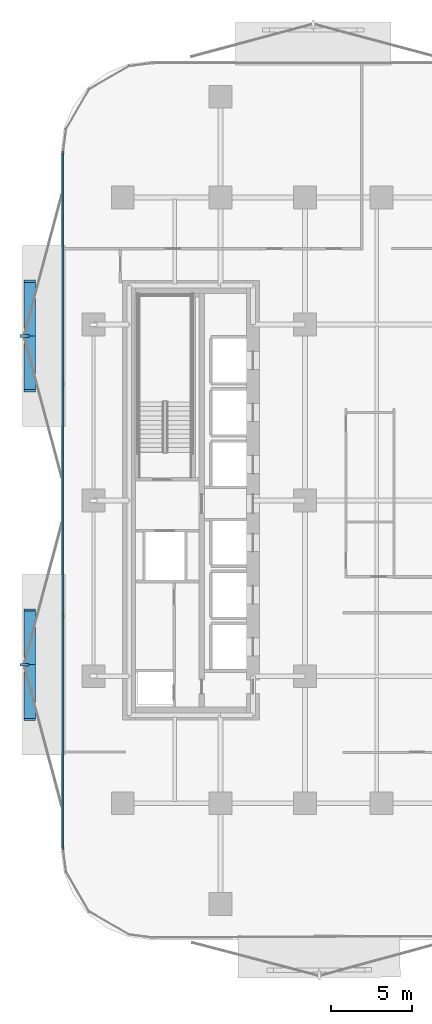
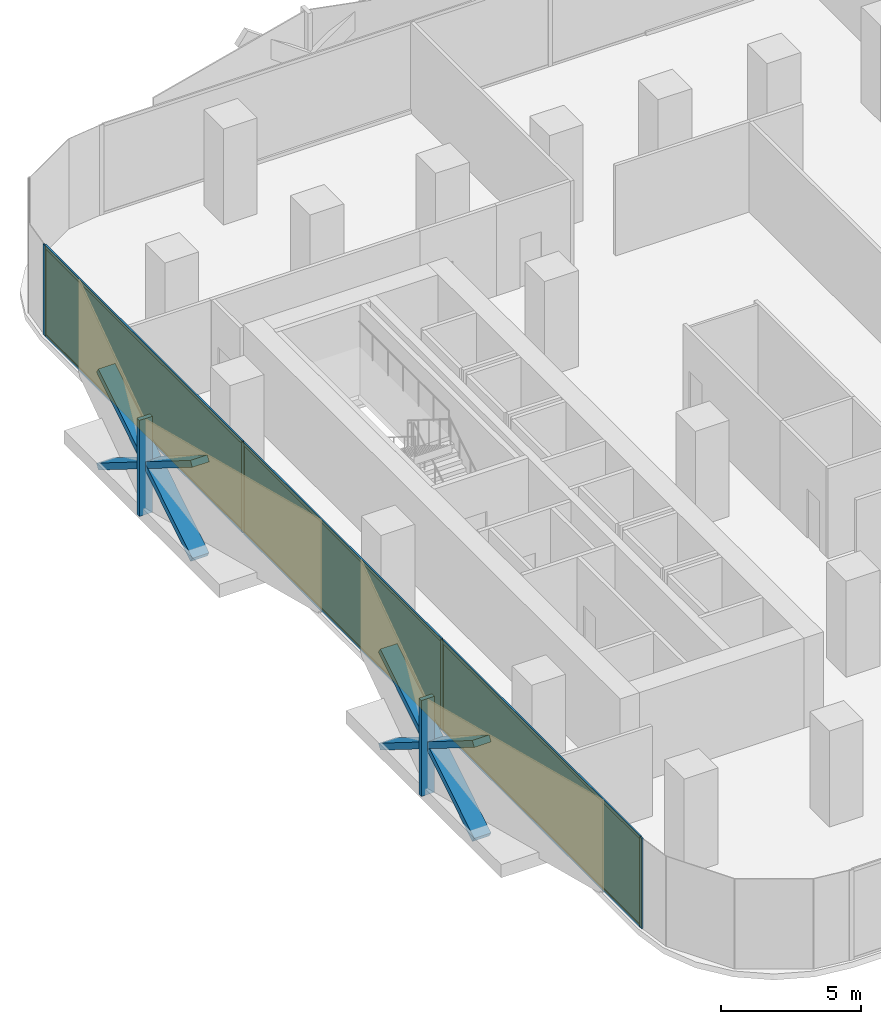
# One storey, part 8 of 15: 16 members, 3 plates, 1 curtain wall.
"""IFC4 building model written with IfcOpenShell, lengths in metres."""

import ifcopenshell
import ifcopenshell.guid

model = None  # the IFC model being written
_history = None  # IfcOwnerHistory: only IFC2X3 demands one
_inside = {}  # id of a spatial element -> (the spatial element, [elements in it])
_under = {}  # id of a project, library or spatial element -> (it, [spatial elements below it])
_declared = {}  # id of a project -> (the project, [libraries it declares])
_typed = {}  # id of a type object -> (the type object, [elements of that type])
_made_of = {}  # id of a material, layer set ... -> (it, [elements and type objects made of it])


def new_model(schema):
    """Start an empty IFC model of exactly this schema.

    Asked for "IFC4X3", IfcOpenShell would pick the latest addendum, in which some entities
    have other attributes; the version numbers below select the first issue.
    IFC2X3 requires an IfcOwnerHistory on every rooted entity: one is made here for all.
    """
    global model, _history
    if schema == "IFC4X3":
        model = ifcopenshell.file(schema_version=(4, 3, 0, 0))
    else:
        model = ifcopenshell.file(schema=schema)
    _inside.clear()
    _under.clear()
    _declared.clear()
    _typed.clear()
    _made_of.clear()
    _history = None
    if model.schema == "IFC2X3":
        org = make("IfcOrganization", Name="unknown")
        user = make(
            "IfcPersonAndOrganization",
            ThePerson=make("IfcPerson", FamilyName="unknown"),
            TheOrganization=org,
        )
        app = make(
            "IfcApplication",
            ApplicationDeveloper=org,
            Version="unknown",
            ApplicationFullName="unknown",
            ApplicationIdentifier="unknown",
        )
        _history = make(
            "IfcOwnerHistory",
            OwningUser=user,
            OwningApplication=app,
            ChangeAction="ADDED",
            CreationDate=0,
        )
    return model


def make(cls, **values):
    """One entity of the class cls with the attributes given. An attribute that is None is left unset."""
    return model.create_entity(
        cls, **{name: value for name, value in values.items() if value is not None}
    )


def rooted(cls, **values):
    """An entity with a GlobalId (a new one), such as an element, a storey or a relation."""
    return make(cls, GlobalId=ifcopenshell.guid.new(), OwnerHistory=_history, **values)


def si_unit(unit_type, name, prefix=None):
    """IfcSIUnit, for example si_unit("LENGTHUNIT", "METRE", prefix="MILLI")."""
    return make("IfcSIUnit", UnitType=unit_type, Prefix=prefix, Name=name)


def assignment(units):
    """IfcUnitAssignment: the units of a project."""
    return None if units is None else make("IfcUnitAssignment", Units=units)


def point(xyz):
    """IfcCartesianPoint."""
    return None if xyz is None else make("IfcCartesianPoint", Coordinates=xyz)


def direction(xyz):
    """IfcDirection."""
    return None if xyz is None else make("IfcDirection", DirectionRatios=xyz)


def frame(location, z_axis=None, x_axis=None):
    """IfcAxis2Placement3D, a coordinate frame: its origin and axes. An axis left out is left unset."""
    return make(
        "IfcAxis2Placement3D",
        Location=point(location),
        Axis=direction(z_axis),
        RefDirection=direction(x_axis),
    )


def frame_2d(location, x_axis=None):
    """IfcAxis2Placement2D, a coordinate frame in the plane: its origin and x axis."""
    return make(
        "IfcAxis2Placement2D", Location=point(location), RefDirection=direction(x_axis)
    )


def origin():
    """The frame at (0, 0, 0) with its axes left unset."""
    return frame((0.0, 0.0, 0.0))


def origin_2d():
    """The frame at (0, 0) in the plane with its x axis left unset."""
    return frame_2d((0.0, 0.0))


def place(relative_to, where):
    """IfcLocalPlacement: puts the frame where relative to a parent placement (None: the world)."""
    return make(
        "IfcLocalPlacement", PlacementRelTo=relative_to, RelativePlacement=where
    )


def context(
    kind, dimensions, precision=None, world=None, true_north=None, identifier=None
):
    """IfcGeometricRepresentationContext, for example the 3D "Model" context."""
    return make(
        "IfcGeometricRepresentationContext",
        ContextIdentifier=identifier,
        ContextType=kind,
        CoordinateSpaceDimension=dimensions,
        Precision=precision,
        WorldCoordinateSystem=world,
        TrueNorth=true_north,
    )


def subcontext(parent, identifier, kind, view, scale=None):
    """IfcGeometricRepresentationSubContext, for example "Body" below "Model"."""
    return make(
        "IfcGeometricRepresentationSubContext",
        ContextIdentifier=identifier,
        ContextType=kind,
        ParentContext=parent,
        TargetScale=scale,
        TargetView=view,
    )


def project(units=None, contexts=None):
    """IfcProject with its units and contexts."""
    return rooted(
        "IfcProject",
        Name="project",
        RepresentationContexts=contexts,
        UnitsInContext=assignment(units),
    )


def spatial(cls, under=None, at=None, **own):
    """A site, building, storey or space (cls), placed at a placement, below another one or the project."""
    s = rooted(cls, ObjectPlacement=at, **own)
    if under is not None:
        _under.setdefault(under.id(), (under, []))[1].append(s)
    return s


def profile(cls, at=None, kind="AREA", **sizes):
    """A parametric profile (cls). Its sizes go by their IFC names, for example OverallWidth=200.0."""
    return make(cls, ProfileType=kind, Position=at, **sizes)


def rectangle(**sizes):
    """IfcRectangleProfileDef."""
    return profile("IfcRectangleProfileDef", **sizes)


def extrude(swept, where, along, depth):
    """IfcExtrudedAreaSolid: the profile swept, set in the frame where, extruded along a direction by depth."""
    return make(
        "IfcExtrudedAreaSolid",
        SweptArea=swept,
        Position=where,
        ExtrudedDirection=direction(along),
        Depth=depth,
    )


def shape(context_of_items, identifier, shape_type, items):
    """IfcShapeRepresentation: the items that make up one representation, for example the "Body"."""
    return make(
        "IfcShapeRepresentation",
        ContextOfItems=context_of_items,
        RepresentationIdentifier=identifier,
        RepresentationType=shape_type,
        Items=items,
    )


def material(Name=None, Category=None):
    """IfcMaterial."""
    return make("IfcMaterial", Name=Name, Category=Category)


def layer(
    of_material, thickness, ventilated=None, Name=None, Category=None, Priority=None
):
    """IfcMaterialLayer: one layer of a wall or slab, of a material (None: an air gap)."""
    return make(
        "IfcMaterialLayer",
        Material=of_material,
        LayerThickness=thickness,
        IsVentilated=ventilated,
        Name=Name,
        Category=Category,
        Priority=Priority,
    )


def layer_set(layers, Name=None):
    """IfcMaterialLayerSet."""
    return make("IfcMaterialLayerSet", MaterialLayers=layers, LayerSetName=Name)


def material_profile(
    of_material, cross_section, Name=None, Category=None, Priority=None
):
    """IfcMaterialProfile: a cross section and its material."""
    return make(
        "IfcMaterialProfile",
        Name=Name,
        Material=of_material,
        Profile=cross_section,
        Priority=Priority,
        Category=Category,
    )


def profile_set(profiles, Name=None, composite=None):
    """IfcMaterialProfileSet."""
    return make(
        "IfcMaterialProfileSet",
        Name=Name,
        MaterialProfiles=profiles,
        CompositeProfile=composite,
    )


def made_of(thing, what):
    """Note that an element or type object is made of a material, layer set ...; save() writes the relation."""
    if what is not None:
        _made_of.setdefault(what.id(), (what, []))[1].append(thing)
    return thing


def type_object(cls, material=None, **own):
    """A type object (cls), such as IfcWallType, which elements share."""
    return made_of(rooted(cls, **own), material)


def element(
    cls,
    number,
    at=None,
    inside=None,
    cuts=None,
    type_object=None,
    material=None,
    context=None,
    identifier="Body",
    shape_type=None,
    held_by="IfcProductDefinitionShape",
    body=None,
    shapes=None,
    **own,
):
    """One element of the class cls, such as IfcWall. Its Tag is "e" and its number.

    at: its placement. inside: the storey or other place that contains it. cuts: it is an
    opening in that element (IfcRelVoidsElement). A single representation is given by context,
    identifier, shape_type and body (its items); several are given by shapes. held_by: the class
    of the entity that holds the representations. save() writes the other relations.
    """
    e = rooted(cls, Tag="e%d" % number, ObjectPlacement=at, **own)
    if body is not None:
        shapes = [shape(context, identifier, shape_type, body)]
    if shapes is not None:
        e.Representation = make(held_by, Representations=shapes)
    if inside is not None:
        _inside.setdefault(inside.id(), (inside, []))[1].append(e)
    if cuts is not None:
        rooted(
            "IfcRelVoidsElement", RelatingBuildingElement=cuts, RelatedOpeningElement=e
        )
    if type_object is not None:
        _typed.setdefault(type_object.id(), (type_object, []))[1].append(e)
    return made_of(e, material)


def aggregate(whole, parts):
    """IfcRelAggregates: a whole, such as a stair, and the parts it consists of."""
    return rooted("IfcRelAggregates", RelatingObject=whole, RelatedObjects=parts)


def save(model, path):
    """Write the relations noted so far, then the file.

    IfcRelAggregates (storeys below a building ...), IfcRelContainedInSpatialStructure (elements
    in a storey), IfcRelDefinesByType, IfcRelAssociatesMaterial and IfcRelDeclares: one each for
    every whole, place, type object, material and project.
    """
    for whole, parts in _under.values():
        aggregate(whole, parts)
    for where, things in _inside.values():
        rooted(
            "IfcRelContainedInSpatialStructure",
            RelatedElements=things,
            RelatingStructure=where,
        )
    for kind, things in _typed.values():
        rooted("IfcRelDefinesByType", RelatedObjects=things, RelatingType=kind)
    for what, things in _made_of.values():
        rooted("IfcRelAssociatesMaterial", RelatedObjects=things, RelatingMaterial=what)
    for by, libraries in _declared.values():
        rooted("IfcRelDeclares", RelatingContext=by, RelatedDefinitions=libraries)
    model.write(path)


model = new_model("IFC4")

# Units and contexts
model_context = context("Model", 3, precision=1e-05, world=origin(), true_north=direction((0.0, 1.0)))
body_context = subcontext(model_context, "Body", "Model", "MODEL_VIEW")
ifc_project = project(units=[si_unit("LENGTHUNIT", "METRE"), si_unit("AREAUNIT", "SQUARE_METRE"), si_unit("VOLUMEUNIT", "CUBIC_METRE"), si_unit("PLANEANGLEUNIT", "RADIAN"), si_unit("MASSUNIT", "GRAM", prefix="KILO")], contexts=[model_context])

# Member
ifc_material_1 = material(Name="Anodised Bronze Aluminium 6063-T6", Category="aluminium")
ifc_material_profile_1 = material_profile(ifc_material_1, rectangle(XDim=0.260009765625, YDim=0.699951171875, at=origin_2d()))
ifc_profile_set_1 = profile_set([ifc_material_profile_1], Name="Anodised Bronze Aluminium 6063-T6")
member_type_1 = type_object("IfcMemberType", Name="Bronze Diamond Solar-Screen Lattice Rib BDL-700", PredefinedType="MULLION", material=ifc_profile_set_1)
site_placement = place(None, origin())
building_placement = place(site_placement, origin())
storey_placement = place(building_placement, frame((0.0, 0.0, 68.0)))
member_1_placement = place(storey_placement, frame((-26.10009765625, -13.46044921875, -0.1298828125), z_axis=(0.0, 0.848362902952, 0.529415134744), x_axis=(0.0, -0.529415134744, 0.848362902952)))
member_1 = element("IfcMember", 1, at=member_1_placement, type_object=member_type_1, Name="L16 Bronze Diamond Solar Screen Lattice Rib 83A", PredefinedType="MULLION", context=body_context, shape_type="SweptSolid", body=[
    extrude(rectangle(XDim=0.260009765625, YDim=0.699951171875, at=origin_2d()), origin(), (0.0, 0.0, 1.0), 7.93310546875),
])

member_2_placement = place(storey_placement, frame((-26.10009765625, -6.730224609375, -0.1298828125), z_axis=(0.0, -0.848362902952, 0.529415134744), x_axis=(0.0, 0.529415134744, 0.848362902952)))
member_2 = element("IfcMember", 2, at=member_2_placement, type_object=member_type_1, Name="L16 Bronze Diamond Solar Screen Lattice Rib 83B", PredefinedType="MULLION", context=body_context, shape_type="SweptSolid", body=[
    extrude(rectangle(XDim=0.260009765625, YDim=0.699951171875, at=origin_2d()), origin(), (0.0, 0.0, 1.0), 7.93310546875),
])

member_3_placement = place(storey_placement, frame((-26.10009765625, 6.730224609375, -0.1298828125), z_axis=(0.0, 0.848362902952, 0.529415134744), x_axis=(0.0, -0.529415134744, 0.848362902952)))
member_3 = element("IfcMember", 3, at=member_3_placement, type_object=member_type_1, Name="L16 Bronze Diamond Solar Screen Lattice Rib 84A", PredefinedType="MULLION", context=body_context, shape_type="SweptSolid", body=[
    extrude(rectangle(XDim=0.260009765625, YDim=0.699951171875, at=origin_2d()), origin(), (0.0, 0.0, 1.0), 7.93310546875),
])

member_4_placement = place(storey_placement, frame((-26.10009765625, 13.46044921875, -0.1298828125), z_axis=(0.0, -0.848362902952, 0.529415134744), x_axis=(0.0, 0.529415134744, 0.848362902952)))
member_4 = element("IfcMember", 4, at=member_4_placement, type_object=member_type_1, Name="L16 Bronze Diamond Solar Screen Lattice Rib 84B", PredefinedType="MULLION", context=body_context, shape_type="SweptSolid", body=[
    extrude(rectangle(XDim=0.260009765625, YDim=0.699951171875, at=origin_2d()), origin(), (0.0, 0.0, 1.0), 7.93310546875),
])

ifc_material_2 = material(Name="Anodised Bronze Aluminium 6063-T6", Category="aluminium")
ifc_material_profile_2 = material_profile(ifc_material_2, rectangle(XDim=0.179931640625, YDim=0.5400390625, at=origin_2d()))
ifc_profile_set_2 = profile_set([ifc_material_profile_2], Name="Anodised Bronze Aluminium 6063-T6")
member_type_2 = type_object("IfcMemberType", Name="Bronze Solar-Screen Vertical Fold Fin BSF-540", PredefinedType="MULLION", material=ifc_profile_set_2)
member_5_placement = place(storey_placement, frame((-26.43994140625, -10.095458984375, -0.1298828125), z_axis=(0.0, 0.0, 1.0), x_axis=(0.0, 1.0, 0.0)))
member_5 = element("IfcMember", 5, at=member_5_placement, type_object=member_type_2, Name="L16 Bronze Solar Screen Vertical Fin 83", PredefinedType="MULLION", context=body_context, shape_type="SweptSolid", body=[
    extrude(rectangle(XDim=0.179931640625, YDim=0.5400390625, at=origin_2d()), origin(), (0.0, 0.0, 1.0), 4.199951171875),
])

member_6_placement = place(storey_placement, frame((-26.43994140625, 10.095458984375, -0.1298828125), z_axis=(0.0, 0.0, 1.0), x_axis=(0.0, 1.0, 0.0)))
member_6 = element("IfcMember", 6, at=member_6_placement, type_object=member_type_2, Name="L16 Bronze Solar Screen Vertical Fin 84", PredefinedType="MULLION", context=body_context, shape_type="SweptSolid", body=[
    extrude(rectangle(XDim=0.179931640625, YDim=0.5400390625, at=origin_2d()), origin(), (0.0, 0.0, 1.0), 4.199951171875),
])

ifc_material_3 = material(Name="Anodised Bronze Aluminium 6063-T6", Category="aluminium")
ifc_material_profile_3 = material_profile(ifc_material_3, rectangle(XDim=0.06494140625, YDim=0.179931640625, at=origin_2d()))
ifc_profile_set_3 = profile_set([ifc_material_profile_3], Name="Anodised Bronze Aluminium 6063-T6")
member_type_3 = type_object("IfcMemberType", Name="CW-Z1 Mullion 65x180", PredefinedType="MULLION", material=ifc_profile_set_3)
member_7_placement = place(storey_placement, frame((-24.06005859375, -21.3583984375, 0.0), z_axis=(0.0, 0.0, 1.0), x_axis=(-1.0, 0.0, 0.0)))
member_7 = element("IfcMember", 7, at=member_7_placement, type_object=member_type_3, Name="CW-Z1 mullion 1", PredefinedType="MULLION", context=body_context, shape_type="SweptSolid", body=[
    extrude(rectangle(XDim=0.06494140625, YDim=0.179931640625, at=origin_2d()), origin(), (0.0, 0.0, 1.0), 3.93994140625),
])

member_8_placement = place(storey_placement, frame((-24.06005859375, -7.13037109375, 0.0), z_axis=(0.0, 0.0, 1.0), x_axis=(-1.0, 0.0, 0.0)))
member_8 = element("IfcMember", 8, at=member_8_placement, type_object=member_type_3, Name="CW-Z1 mullion 2", PredefinedType="MULLION", context=body_context, shape_type="SweptSolid", body=[
    extrude(rectangle(XDim=0.06494140625, YDim=0.179931640625, at=origin_2d()), origin(), (0.0, 0.0, 1.0), 3.93994140625),
])

member_9_placement = place(storey_placement, frame((-24.06005859375, 7.13037109375, 0.0), z_axis=(0.0, 0.0, 1.0), x_axis=(-1.0, 0.0, 0.0)))
member_9 = element("IfcMember", 9, at=member_9_placement, type_object=member_type_3, Name="CW-Z1 mullion 3", PredefinedType="MULLION", context=body_context, shape_type="SweptSolid", body=[
    extrude(rectangle(XDim=0.06494140625, YDim=0.179931640625, at=origin_2d()), origin(), (0.0, 0.0, 1.0), 3.93994140625),
])

member_10_placement = place(storey_placement, frame((-24.06005859375, 21.3583984375, 0.0), z_axis=(0.0, 0.0, 1.0), x_axis=(-1.0, 0.0, 0.0)))
member_10 = element("IfcMember", 10, at=member_10_placement, type_object=member_type_3, Name="CW-Z1 mullion 4", PredefinedType="MULLION", context=body_context, shape_type="SweptSolid", body=[
    extrude(rectangle(XDim=0.06494140625, YDim=0.179931640625, at=origin_2d()), origin(), (0.0, 0.0, 1.0), 3.93994140625),
])

ifc_material_4 = material(Name="Anodised Bronze Aluminium 6063-T6", Category="aluminium")
ifc_material_profile_4 = material_profile(ifc_material_4, rectangle(XDim=0.06494140625, YDim=0.139892578125, at=origin_2d()))
ifc_profile_set_4 = profile_set([ifc_material_profile_4], Name="Anodised Bronze Aluminium 6063-T6")
member_type_4 = type_object("IfcMemberType", Name="CW-Z1 Transom 65x140", PredefinedType="USERDEFINED", material=ifc_profile_set_4)
member_11_placement = place(storey_placement, frame((-24.06005859375, -21.32568359375, 0.032470703125), z_axis=(0.0, 1.0, 0.0), x_axis=(-1.0, 0.0, 0.0)))
member_11 = element("IfcMember", 11, at=member_11_placement, type_object=member_type_4, Name="CW-Z1 transom 1.1", ObjectType="TRANSOM", PredefinedType="USERDEFINED", context=body_context, shape_type="SweptSolid", body=[
    extrude(rectangle(XDim=0.06494140625, YDim=0.139892578125, at=origin_2d()), origin(), (0.0, 0.0, 1.0), 14.162841796875),
])

member_12_placement = place(storey_placement, frame((-24.06005859375, -21.32568359375, 3.907470703125), z_axis=(0.0, 1.0, 0.0), x_axis=(-1.0, 0.0, 0.0)))
member_12 = element("IfcMember", 12, at=member_12_placement, type_object=member_type_4, Name="CW-Z1 transom 1.2", ObjectType="TRANSOM", PredefinedType="USERDEFINED", context=body_context, shape_type="SweptSolid", body=[
    extrude(rectangle(XDim=0.06494140625, YDim=0.139892578125, at=origin_2d()), origin(), (0.0, 0.0, 1.0), 14.162841796875),
])

member_13_placement = place(storey_placement, frame((-24.06005859375, -7.09765625, 0.032470703125), z_axis=(0.0, 1.0, 0.0), x_axis=(-1.0, 0.0, 0.0)))
member_13 = element("IfcMember", 13, at=member_13_placement, type_object=member_type_4, Name="CW-Z1 transom 2.1", ObjectType="TRANSOM", PredefinedType="USERDEFINED", context=body_context, shape_type="SweptSolid", body=[
    extrude(rectangle(XDim=0.06494140625, YDim=0.139892578125, at=origin_2d()), origin(), (0.0, 0.0, 1.0), 14.1953125),
])

member_14_placement = place(storey_placement, frame((-24.06005859375, -7.09765625, 3.907470703125), z_axis=(0.0, 1.0, 0.0), x_axis=(-1.0, 0.0, 0.0)))
member_14 = element("IfcMember", 14, at=member_14_placement, type_object=member_type_4, Name="CW-Z1 transom 2.2", ObjectType="TRANSOM", PredefinedType="USERDEFINED", context=body_context, shape_type="SweptSolid", body=[
    extrude(rectangle(XDim=0.06494140625, YDim=0.139892578125, at=origin_2d()), origin(), (0.0, 0.0, 1.0), 14.1953125),
])

member_15_placement = place(storey_placement, frame((-24.06005859375, 7.162841796875, 0.032470703125), z_axis=(0.0, 1.0, 0.0), x_axis=(-1.0, 0.0, 0.0)))
member_15 = element("IfcMember", 15, at=member_15_placement, type_object=member_type_4, Name="CW-Z1 transom 3.1", ObjectType="TRANSOM", PredefinedType="USERDEFINED", context=body_context, shape_type="SweptSolid", body=[
    extrude(rectangle(XDim=0.06494140625, YDim=0.139892578125, at=origin_2d()), origin(), (0.0, 0.0, 1.0), 14.162841796875),
])

member_16_placement = place(storey_placement, frame((-24.06005859375, 7.162841796875, 3.907470703125), z_axis=(0.0, 1.0, 0.0), x_axis=(-1.0, 0.0, 0.0)))
member_16 = element("IfcMember", 16, at=member_16_placement, type_object=member_type_4, Name="CW-Z1 transom 3.2", ObjectType="TRANSOM", PredefinedType="USERDEFINED", context=body_context, shape_type="SweptSolid", body=[
    extrude(rectangle(XDim=0.06494140625, YDim=0.139892578125, at=origin_2d()), origin(), (0.0, 0.0, 1.0), 14.162841796875),
])

# Plate
ifc_material_5 = material(Name="Low-E Solar Control Laminated Glass", Category="glass")
ifc_layer_1 = layer(ifc_material_5, 0.028076171875, Name="Low-E Solar Control Laminated Glass")
ifc_layer_set_1 = layer_set([ifc_layer_1], Name="Low-E Solar Control Laminated Glass")
plate_type = type_object("IfcPlateType", Name="CW-Z1 Low-E Double Glazed Panel 28mm", PredefinedType="CURTAIN_PANEL", material=ifc_layer_set_1)
plate_1_placement = place(storey_placement, frame((-24.06005859375, -14.244384765625, 0.06494140625), z_axis=(0.0, 0.0, 1.0), x_axis=(0.0, 1.0, 0.0)))
plate_1 = element("IfcPlate", 17, at=plate_1_placement, type_object=plate_type, Name="CW-Z1 panel 1.1", PredefinedType="CURTAIN_PANEL", context=body_context, shape_type="SweptSolid", body=[
    extrude(rectangle(XDim=14.1630859375, YDim=0.028076171875, at=origin_2d()), origin(), (0.0, 0.0, 1.0), 3.81005859375),
])

plate_2_placement = place(storey_placement, frame((-24.06005859375, 0.0, 0.06494140625), z_axis=(0.0, 0.0, 1.0), x_axis=(0.0, 1.0, 0.0)))
plate_2 = element("IfcPlate", 18, at=plate_2_placement, type_object=plate_type, Name="CW-Z1 panel 2.1", PredefinedType="CURTAIN_PANEL", context=body_context, shape_type="SweptSolid", body=[
    extrude(rectangle(XDim=14.195556640625, YDim=0.028076171875, at=origin_2d()), origin(), (0.0, 0.0, 1.0), 3.81005859375),
])

plate_3_placement = place(storey_placement, frame((-24.06005859375, 14.244384765625, 0.06494140625), z_axis=(0.0, 0.0, 1.0), x_axis=(0.0, 1.0, 0.0)))
plate_3 = element("IfcPlate", 19, at=plate_3_placement, type_object=plate_type, Name="CW-Z1 panel 3.1", PredefinedType="CURTAIN_PANEL", context=body_context, shape_type="SweptSolid", body=[
    extrude(rectangle(XDim=14.1630859375, YDim=0.028076171875, at=origin_2d()), origin(), (0.0, 0.0, 1.0), 3.81005859375),
])

# Site, building, storey
site = spatial("IfcSite", under=ifc_project, at=site_placement, CompositionType="ELEMENT")
building = spatial("IfcBuilding", under=site, at=building_placement, Name="Khairoan Windgate Tower", CompositionType="ELEMENT")
storey = spatial("IfcBuildingStorey", under=building, at=storey_placement, Name="L16", CompositionType="ELEMENT", Elevation=68.0)

# Curtain wall
ifc_material_6 = material(Name="Anodised Bronze Aluminium 6063-T6", Category="aluminium")
ifc_layer_2 = layer(ifc_material_6, 0.179931640625, Name="Anodised Bronze Aluminium 6063-T6")
ifc_layer_set_2 = layer_set([ifc_layer_2], Name="Anodised Bronze Aluminium 6063-T6")
curtain_wall_type = type_object("IfcCurtainWallType", Name="Low-Rise Office Unitised Curtain Wall CW-Z1", PredefinedType="NOTDEFINED", material=ifc_layer_set_2)
curtain_wall_placement = place(storey_placement, frame((-24.06005859375, -21.390869140625, 0.0), z_axis=(0.0, 0.0, 1.0), x_axis=(0.0, 1.0, 0.0)))
curtain_wall = element("IfcCurtainWall", 20, at=curtain_wall_placement, inside=storey, type_object=curtain_wall_type, Name="L16 Unitised Curtain Wall 6", PredefinedType="NOTDEFINED", context=body_context, shape_type="SweptSolid", body=[
    extrude(rectangle(XDim=42.78173828125, YDim=0.010009765625, at=frame_2d((21.390869140625, 0.0))), origin(), (0.0, 0.0, 1.0), 3.93994140625),
])

aggregate(curtain_wall, [member_7, member_8, member_9, member_10, member_11, member_12, plate_1, member_13, member_14, plate_2, member_15, member_16, plate_3, member_1, member_2, member_5, member_3, member_4, member_6])

save(model, "model.ifc")
